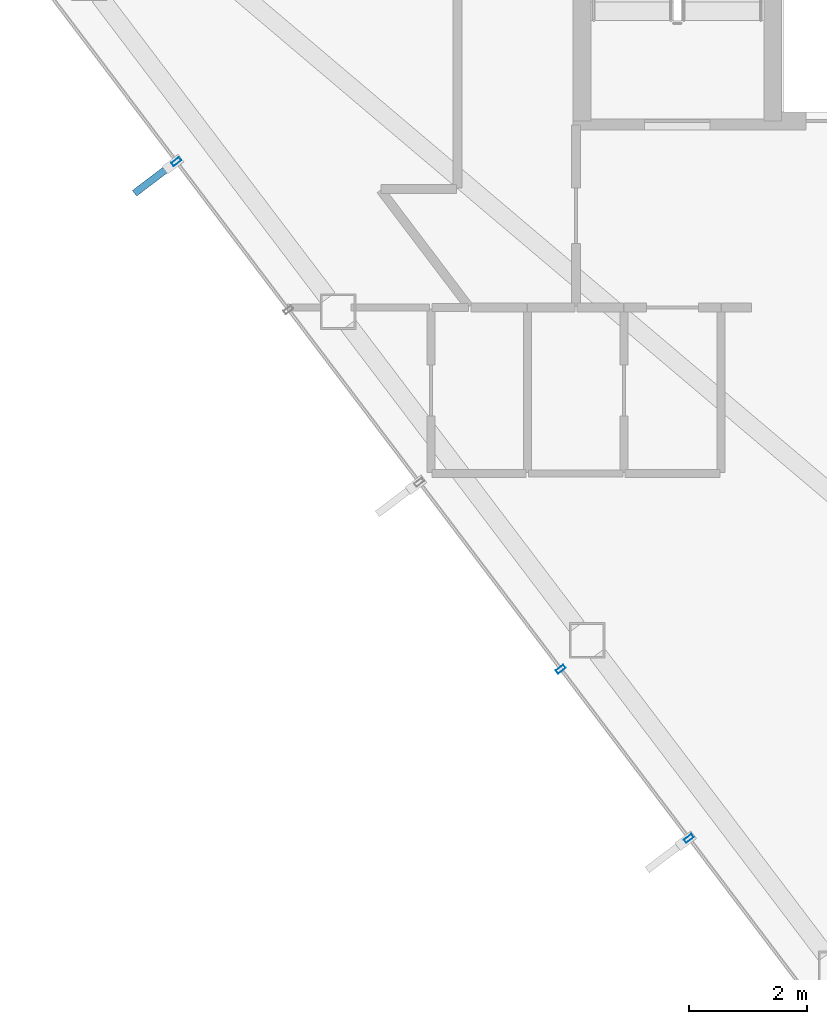
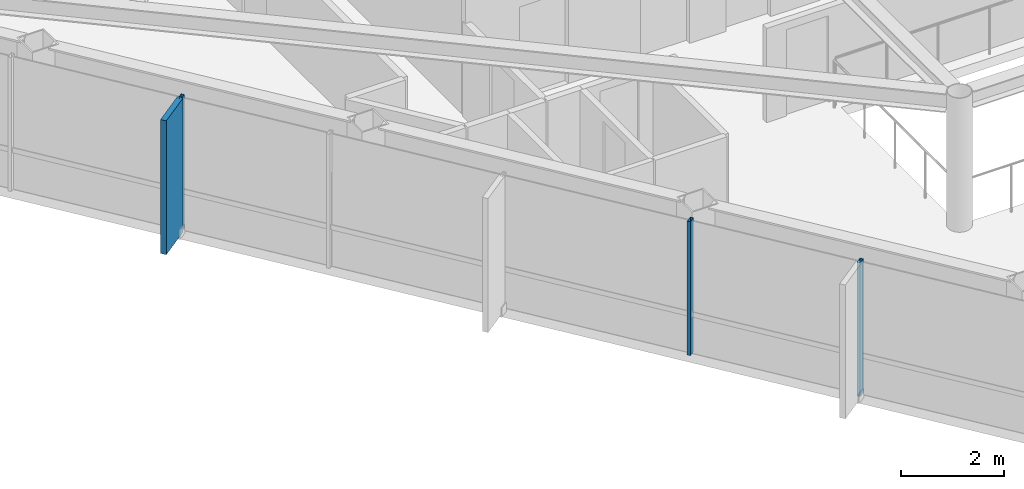
# One storey, part 2 of 27: 4 members, 1 element without a shape of its own.
"""IFC4 building model written with IfcOpenShell, lengths in metres."""

from ifc_helpers import new_model, si_unit, direction, frame, origin, origin_2d, place, context, subcontext, project, spatial, rectangle, hollow_rectangle, extrude, material, layer, layer_set, material_profile, profile_set, type_object, element, aggregate, save


model = new_model("IFC4")

# Units and contexts
model_context = context("Model", 3, precision=1e-05, world=origin(), true_north=direction((0.0, 1.0)))
body_context = subcontext(model_context, "Body", "Model", "MODEL_VIEW")
ifc_project = project(units=[si_unit("LENGTHUNIT", "METRE"), si_unit("AREAUNIT", "SQUARE_METRE"), si_unit("VOLUMEUNIT", "CUBIC_METRE"), si_unit("PLANEANGLEUNIT", "RADIAN"), si_unit("MASSUNIT", "GRAM", prefix="KILO")], contexts=[model_context])

# Site, building, storey
site_placement = place(None, origin())
site = spatial("IfcSite", under=ifc_project, at=site_placement, CompositionType="ELEMENT")
building_placement = place(site_placement, origin())
building = spatial("IfcBuilding", under=site, at=building_placement, Name="Zarrinselat Tower", CompositionType="ELEMENT")
storey_placement = place(building_placement, frame((0.0, 0.0, 232.56005859375)))
storey = spatial("IfcBuildingStorey", under=building, at=storey_placement, Name="L58", CompositionType="ELEMENT", Elevation=232.56005859375)

# Curtain wall, members
ifc_material_1 = material(Name="Extruded Aluminium Alloy EN AW-6063 T6", Category="aluminium")
ifc_layer = layer(ifc_material_1, 0.169921875)
ifc_layer_set = layer_set([ifc_layer], Name="Extruded Aluminium Alloy EN AW-6063 T6")
curtain_wall_type = type_object("IfcCurtainWallType", Name="CWS-RES", PredefinedType="NOTDEFINED", material=ifc_layer_set)
curtain_wall_placement = place(storey_placement, origin())
curtain_wall = element("IfcCurtainWall", 1, at=curtain_wall_placement, inside=storey, type_object=curtain_wall_type, Name="L58 Unitised Curtain Wall CW-L58-E03", PredefinedType="NOTDEFINED")
ifc_material_2 = material(Name="Extruded Aluminium Alloy EN AW-6063 T6", Category="aluminium")
ifc_material_profile_1 = material_profile(ifc_material_2, hollow_rectangle(XDim=0.070068359375, YDim=0.159912109375, WallThickness=0.00390625, at=origin_2d()), Name="RHS 160x70x4")
ifc_profile_set_1 = profile_set([ifc_material_profile_1], Name="Extruded Aluminium Alloy EN AW-6063 T6")
member_type_1 = type_object("IfcMemberType", Name="MEM-CW-MUL2", PredefinedType="MULLION", material=ifc_profile_set_1)
member_1_placement = place(storey_placement, frame((21.802001953125, 32.61376953125, 0.0), z_axis=(0.0, 0.0, 1.0), x_axis=(0.603857419315, -0.7970923517, 0.0)))
member_1 = element("IfcMember", 2, at=member_1_placement, type_object=member_type_1, Name="CW-L58-E03 Mullion 3", PredefinedType="MULLION", context=body_context, shape_type="SweptSolid", body=[
    extrude(hollow_rectangle(XDim=0.070068359375, YDim=0.159912109375, WallThickness=0.00390625, at=origin_2d()), origin(), (0.0, 0.0, 1.0), 3.179931640625),
])
member_2_placement = place(storey_placement, frame((28.292724609375, 24.0458984375, 0.0), z_axis=(0.0, 0.0, 1.0), x_axis=(0.603857419315, -0.7970923517, 0.0)))
member_2 = element("IfcMember", 3, at=member_2_placement, type_object=member_type_1, Name="CW-L58-E03 Mullion 6", PredefinedType="MULLION", context=body_context, shape_type="SweptSolid", body=[
    extrude(hollow_rectangle(XDim=0.070068359375, YDim=0.159912109375, WallThickness=0.00390625, at=origin_2d()), origin(), (0.0, 0.0, 1.0), 3.179931640625),
])
member_3_placement = place(storey_placement, frame((30.456298828125, 21.18994140625, 0.0), z_axis=(0.0, 0.0, 1.0), x_axis=(0.603857419315, -0.7970923517, 0.0)))
member_3 = element("IfcMember", 4, at=member_3_placement, type_object=member_type_1, Name="CW-L58-E03 Mullion 7", PredefinedType="MULLION", context=body_context, shape_type="SweptSolid", body=[
    extrude(hollow_rectangle(XDim=0.070068359375, YDim=0.159912109375, WallThickness=0.00390625, at=origin_2d()), origin(), (0.0, 0.0, 1.0), 3.179931640625),
])
ifc_material_3 = material(Name="Honed Cream Travertine Stone", Category="masonry")
ifc_material_profile_2 = material_profile(ifc_material_3, rectangle(XDim=0.1201171875, YDim=0.85009765625, at=origin_2d()), Name="FIN 850x120")
ifc_profile_set_2 = profile_set([ifc_material_profile_2], Name="Honed Cream Travertine Stone")
member_type_2 = type_object("IfcMemberType", Name="MEM-STONE-FIN", PredefinedType="USERDEFINED", material=ifc_profile_set_2)
member_4_placement = place(storey_placement, frame((21.435302734375, 32.3359375, 0.0), z_axis=(0.0, 0.0, 1.0), x_axis=(-0.603857419315, 0.7970923517, 0.0)))
member_4 = element("IfcMember", 5, at=member_4_placement, type_object=member_type_2, Name="L58 Stone Shading Fin CW-L58-E03-03", ObjectType="FIN", PredefinedType="USERDEFINED", context=body_context, shape_type="SweptSolid", body=[
    extrude(rectangle(XDim=0.1201171875, YDim=0.85009765625, at=origin_2d()), origin(), (0.0, 0.0, 1.0), 3.179931640625),
])
aggregate(curtain_wall, [member_1, member_4, member_2, member_3])

save(model, "model.ifc")
